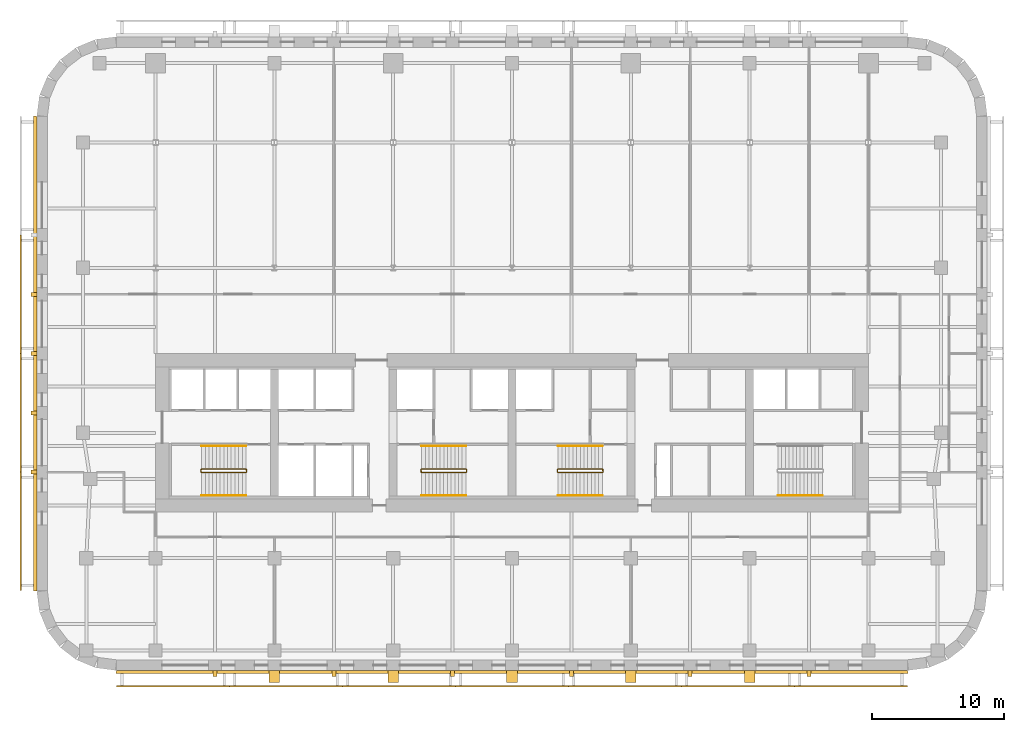
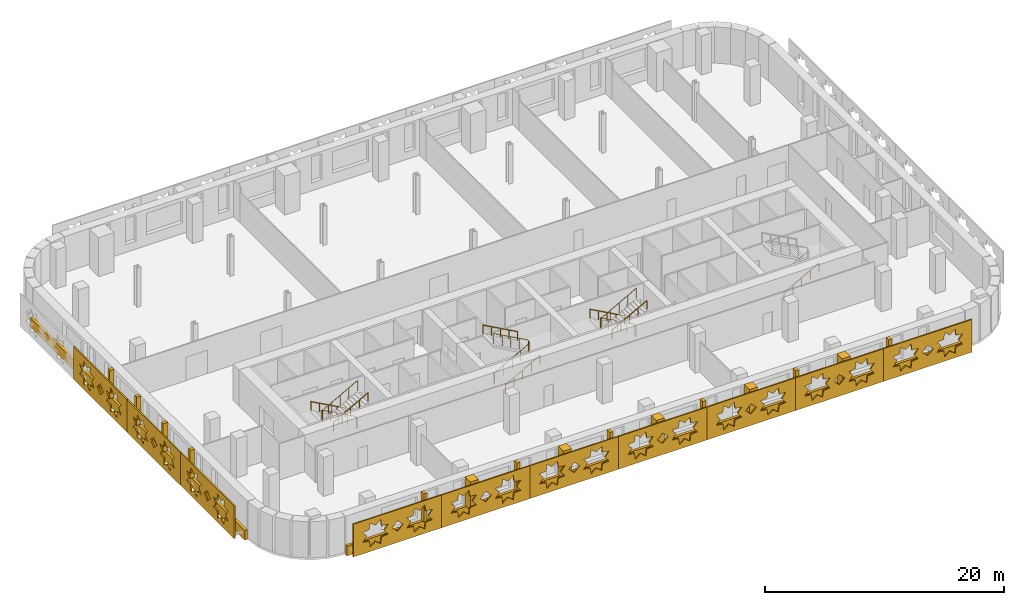
# One storey, part 9 of 10: 27 coverings, 10 railings.
"""IFC4 building model written with IfcOpenShell, lengths in metres."""

import ifcopenshell
import ifcopenshell.guid

model = None  # the IFC model being written
_history = None  # IfcOwnerHistory: only IFC2X3 demands one
_inside = {}  # id of a spatial element -> (the spatial element, [elements in it])
_under = {}  # id of a project, library or spatial element -> (it, [spatial elements below it])
_declared = {}  # id of a project -> (the project, [libraries it declares])
_typed = {}  # id of a type object -> (the type object, [elements of that type])
_made_of = {}  # id of a material, layer set ... -> (it, [elements and type objects made of it])


def new_model(schema):
    """Start an empty IFC model of exactly this schema.

    Asked for "IFC4X3", IfcOpenShell would pick the latest addendum, in which some entities
    have other attributes; the version numbers below select the first issue.
    IFC2X3 requires an IfcOwnerHistory on every rooted entity: one is made here for all.
    """
    global model, _history
    if schema == "IFC4X3":
        model = ifcopenshell.file(schema_version=(4, 3, 0, 0))
    else:
        model = ifcopenshell.file(schema=schema)
    _inside.clear()
    _under.clear()
    _declared.clear()
    _typed.clear()
    _made_of.clear()
    _history = None
    if model.schema == "IFC2X3":
        org = make("IfcOrganization", Name="unknown")
        user = make(
            "IfcPersonAndOrganization",
            ThePerson=make("IfcPerson", FamilyName="unknown"),
            TheOrganization=org,
        )
        app = make(
            "IfcApplication",
            ApplicationDeveloper=org,
            Version="unknown",
            ApplicationFullName="unknown",
            ApplicationIdentifier="unknown",
        )
        _history = make(
            "IfcOwnerHistory",
            OwningUser=user,
            OwningApplication=app,
            ChangeAction="ADDED",
            CreationDate=0,
        )
    return model


def make(cls, **values):
    """One entity of the class cls with the attributes given. An attribute that is None is left unset."""
    return model.create_entity(
        cls, **{name: value for name, value in values.items() if value is not None}
    )


def rooted(cls, **values):
    """An entity with a GlobalId (a new one), such as an element, a storey or a relation."""
    return make(cls, GlobalId=ifcopenshell.guid.new(), OwnerHistory=_history, **values)


def si_unit(unit_type, name, prefix=None):
    """IfcSIUnit, for example si_unit("LENGTHUNIT", "METRE", prefix="MILLI")."""
    return make("IfcSIUnit", UnitType=unit_type, Prefix=prefix, Name=name)


def assignment(units):
    """IfcUnitAssignment: the units of a project."""
    return None if units is None else make("IfcUnitAssignment", Units=units)


def point(xyz):
    """IfcCartesianPoint."""
    return None if xyz is None else make("IfcCartesianPoint", Coordinates=xyz)


def direction(xyz):
    """IfcDirection."""
    return None if xyz is None else make("IfcDirection", DirectionRatios=xyz)


def frame(location, z_axis=None, x_axis=None):
    """IfcAxis2Placement3D, a coordinate frame: its origin and axes. An axis left out is left unset."""
    return make(
        "IfcAxis2Placement3D",
        Location=point(location),
        Axis=direction(z_axis),
        RefDirection=direction(x_axis),
    )


def frame_2d(location, x_axis=None):
    """IfcAxis2Placement2D, a coordinate frame in the plane: its origin and x axis."""
    return make(
        "IfcAxis2Placement2D", Location=point(location), RefDirection=direction(x_axis)
    )


def origin():
    """The frame at (0, 0, 0) with its axes left unset."""
    return frame((0.0, 0.0, 0.0))


def origin_2d():
    """The frame at (0, 0) in the plane with its x axis left unset."""
    return frame_2d((0.0, 0.0))


def place(relative_to, where):
    """IfcLocalPlacement: puts the frame where relative to a parent placement (None: the world)."""
    return make(
        "IfcLocalPlacement", PlacementRelTo=relative_to, RelativePlacement=where
    )


def context(
    kind, dimensions, precision=None, world=None, true_north=None, identifier=None
):
    """IfcGeometricRepresentationContext, for example the 3D "Model" context."""
    return make(
        "IfcGeometricRepresentationContext",
        ContextIdentifier=identifier,
        ContextType=kind,
        CoordinateSpaceDimension=dimensions,
        Precision=precision,
        WorldCoordinateSystem=world,
        TrueNorth=true_north,
    )


def subcontext(parent, identifier, kind, view, scale=None):
    """IfcGeometricRepresentationSubContext, for example "Body" below "Model"."""
    return make(
        "IfcGeometricRepresentationSubContext",
        ContextIdentifier=identifier,
        ContextType=kind,
        ParentContext=parent,
        TargetScale=scale,
        TargetView=view,
    )


def project(units=None, contexts=None):
    """IfcProject with its units and contexts."""
    return rooted(
        "IfcProject",
        Name="project",
        RepresentationContexts=contexts,
        UnitsInContext=assignment(units),
    )


def spatial(cls, under=None, at=None, **own):
    """A site, building, storey or space (cls), placed at a placement, below another one or the project."""
    s = rooted(cls, ObjectPlacement=at, **own)
    if under is not None:
        _under.setdefault(under.id(), (under, []))[1].append(s)
    return s


def polyline(points):
    """IfcPolyline through the points."""
    return make("IfcPolyline", Points=[point(p) for p in points])


def profile(cls, at=None, kind="AREA", **sizes):
    """A parametric profile (cls). Its sizes go by their IFC names, for example OverallWidth=200.0."""
    return make(cls, ProfileType=kind, Position=at, **sizes)


def circle(**sizes):
    """IfcCircleProfileDef."""
    return profile("IfcCircleProfileDef", **sizes)


def outline(outer, holes=None, kind="AREA"):
    """IfcArbitraryClosedProfileDef: a profile drawn as a closed curve; with holes, ...WithVoids."""
    if holes is None:
        return make("IfcArbitraryClosedProfileDef", ProfileType=kind, OuterCurve=outer)
    return make(
        "IfcArbitraryProfileDefWithVoids",
        ProfileType=kind,
        OuterCurve=outer,
        InnerCurves=holes,
    )


def extrude(swept, where, along, depth):
    """IfcExtrudedAreaSolid: the profile swept, set in the frame where, extruded along a direction by depth."""
    return make(
        "IfcExtrudedAreaSolid",
        SweptArea=swept,
        Position=where,
        ExtrudedDirection=direction(along),
        Depth=depth,
    )


def shape(context_of_items, identifier, shape_type, items):
    """IfcShapeRepresentation: the items that make up one representation, for example the "Body"."""
    return make(
        "IfcShapeRepresentation",
        ContextOfItems=context_of_items,
        RepresentationIdentifier=identifier,
        RepresentationType=shape_type,
        Items=items,
    )


def material(Name=None, Category=None):
    """IfcMaterial."""
    return make("IfcMaterial", Name=Name, Category=Category)


def layer(
    of_material, thickness, ventilated=None, Name=None, Category=None, Priority=None
):
    """IfcMaterialLayer: one layer of a wall or slab, of a material (None: an air gap)."""
    return make(
        "IfcMaterialLayer",
        Material=of_material,
        LayerThickness=thickness,
        IsVentilated=ventilated,
        Name=Name,
        Category=Category,
        Priority=Priority,
    )


def layer_set(layers, Name=None):
    """IfcMaterialLayerSet."""
    return make("IfcMaterialLayerSet", MaterialLayers=layers, LayerSetName=Name)


def made_of(thing, what):
    """Note that an element or type object is made of a material, layer set ...; save() writes the relation."""
    if what is not None:
        _made_of.setdefault(what.id(), (what, []))[1].append(thing)
    return thing


def type_object(cls, material=None, **own):
    """A type object (cls), such as IfcWallType, which elements share."""
    return made_of(rooted(cls, **own), material)


def element(
    cls,
    number,
    at=None,
    inside=None,
    cuts=None,
    type_object=None,
    material=None,
    context=None,
    identifier="Body",
    shape_type=None,
    held_by="IfcProductDefinitionShape",
    body=None,
    shapes=None,
    **own,
):
    """One element of the class cls, such as IfcWall. Its Tag is "e" and its number.

    at: its placement. inside: the storey or other place that contains it. cuts: it is an
    opening in that element (IfcRelVoidsElement). A single representation is given by context,
    identifier, shape_type and body (its items); several are given by shapes. held_by: the class
    of the entity that holds the representations. save() writes the other relations.
    """
    e = rooted(cls, Tag="e%d" % number, ObjectPlacement=at, **own)
    if body is not None:
        shapes = [shape(context, identifier, shape_type, body)]
    if shapes is not None:
        e.Representation = make(held_by, Representations=shapes)
    if inside is not None:
        _inside.setdefault(inside.id(), (inside, []))[1].append(e)
    if cuts is not None:
        rooted(
            "IfcRelVoidsElement", RelatingBuildingElement=cuts, RelatedOpeningElement=e
        )
    if type_object is not None:
        _typed.setdefault(type_object.id(), (type_object, []))[1].append(e)
    return made_of(e, material)


def aggregate(whole, parts):
    """IfcRelAggregates: a whole, such as a stair, and the parts it consists of."""
    return rooted("IfcRelAggregates", RelatingObject=whole, RelatedObjects=parts)


def save(model, path):
    """Write the relations noted so far, then the file.

    IfcRelAggregates (storeys below a building ...), IfcRelContainedInSpatialStructure (elements
    in a storey), IfcRelDefinesByType, IfcRelAssociatesMaterial and IfcRelDeclares: one each for
    every whole, place, type object, material and project.
    """
    for whole, parts in _under.values():
        aggregate(whole, parts)
    for where, things in _inside.values():
        rooted(
            "IfcRelContainedInSpatialStructure",
            RelatedElements=things,
            RelatingStructure=where,
        )
    for kind, things in _typed.values():
        rooted("IfcRelDefinesByType", RelatedObjects=things, RelatingType=kind)
    for what, things in _made_of.values():
        rooted("IfcRelAssociatesMaterial", RelatedObjects=things, RelatingMaterial=what)
    for by, libraries in _declared.values():
        rooted("IfcRelDeclares", RelatingContext=by, RelatedDefinitions=libraries)
    model.write(path)


model = new_model("IFC4")

# Units and contexts
model_context = context("Model", 3, precision=1e-05, world=origin(), true_north=direction((0.0, 1.0)))
body_context = subcontext(model_context, "Body", "Model", "MODEL_VIEW")
ifc_project = project(units=[si_unit("LENGTHUNIT", "METRE"), si_unit("AREAUNIT", "SQUARE_METRE"), si_unit("VOLUMEUNIT", "CUBIC_METRE"), si_unit("PLANEANGLEUNIT", "RADIAN"), si_unit("MASSUNIT", "GRAM", prefix="KILO")], contexts=[model_context])

# Site, building, storey
site_placement = place(None, origin())
site = spatial("IfcSite", under=ifc_project, at=site_placement, CompositionType="ELEMENT")
building_placement = place(site_placement, origin())
building = spatial("IfcBuilding", under=site, at=building_placement, Name="Zellij Exchange Tower", CompositionType="ELEMENT")
storey_placement = place(building_placement, frame((0.0, 0.0, 152.5)))
storey = spatial("IfcBuildingStorey", under=building, at=storey_placement, Name="L34", CompositionType="ELEMENT", Elevation=152.5)

# Railings
ifc_material_1 = material(Name="Stainless steel", Category="steel")
railing_type_1 = type_object("IfcRailingType", Name="CORE-RG stair guard", PredefinedType="GUARDRAIL", material=ifc_material_1)
railing_1_placement = place(storey_placement, frame((-20.10009765625, -10.800048828125, 0.0)))
element("IfcRailing", 1, at=railing_1_placement, inside=storey, type_object=railing_type_1, Name="ST1 stair guard L34", PredefinedType="GUARDRAIL", context=body_context, shape_type="SweptSolid", body=[
    extrude(circle(Radius=0.02392578125, at=origin_2d()), frame((0.0, 0.0, 1.076171875), z_axis=(0.0, -1.0, 0.0), x_axis=(1.0, 0.0, 0.0)), (0.0, 0.0, 1.0), 0.14990234375),
    extrude(circle(Radius=0.02392578125, at=origin_2d()), frame((0.0, -0.14990234375, 1.076171875), z_axis=(-0.193691321961, 0.777613689637, 0.598164376644), x_axis=(-0.970351222016, -0.241699205484, 0.0)), (0.0, 0.0, 1.0), 0.257080078125),
    extrude(circle(Radius=0.02392578125, at=origin_2d()), frame((-0.0498046875, 0.050048828125, 1.22998046875), z_axis=(-0.876421534553, 0.0, 0.481544695509), x_axis=(0.0, -1.0, 0.0)), (0.0, 0.0, 1.0), 3.833984375),
    extrude(circle(Radius=0.02392578125, at=origin_2d()), frame((-3.409912109375, 0.050048828125, 3.076171875), z_axis=(-0.707106781187, -0.707106781187, 0.0), x_axis=(0.707106781187, -0.707106781187, 0.0)), (0.0, 0.0, 1.0), 0.07080078125),
    extrude(circle(Radius=0.02392578125, at=origin_2d()), frame((-3.4599609375, 0.0, 3.076171875), z_axis=(0.0, -1.0, 0.0), x_axis=(1.0, 0.0, 0.0)), (0.0, 0.0, 1.0), 0.14990234375),
    extrude(circle(Radius=0.02392578125, at=origin_2d()), frame((-3.4599609375, -0.14990234375, 3.076171875), z_axis=(0.295599637079, -0.295599637079, 0.908428152975), x_axis=(0.707106781187, 0.707106781187, 0.0)), (0.0, 0.0, 1.0), 0.16943359375),
    extrude(circle(Radius=0.02392578125, at=origin_2d()), frame((-3.409912109375, -0.199951171875, 3.22998046875), z_axis=(0.876421534553, 0.0, 0.481544695509), x_axis=(0.0, 1.0, 0.0)), (0.0, 0.0, 1.0), 3.833984375),
    extrude(circle(Radius=0.02099609375, at=origin_2d()), origin(), (0.0, 0.0, 1.0), 1.052001953125),
    extrude(circle(Radius=0.02099609375, at=origin_2d()), frame((0.0, -0.14990234375, 0.0)), (0.0, 0.0, 1.0), 1.052001953125),
    extrude(circle(Radius=0.02099609375, at=origin_2d()), frame((-0.0498046875, 0.050048828125, 0.15380859375)), (0.0, 0.0, 1.0), 1.052001953125),
    extrude(circle(Radius=0.02099609375, at=origin_2d()), frame((-0.889892578125, 0.050048828125, 0.615234375)), (0.0, 0.0, 1.0), 1.052001953125),
    extrude(circle(Radius=0.02099609375, at=origin_2d()), frame((-1.72998046875, 0.050048828125, 1.076904296875)), (0.0, 0.0, 1.0), 1.052001953125),
    extrude(circle(Radius=0.02099609375, at=origin_2d()), frame((-2.56982421875, 0.050048828125, 1.53857421875)), (0.0, 0.0, 1.0), 1.052001953125),
    extrude(circle(Radius=0.02099609375, at=origin_2d()), frame((-3.409912109375, 0.050048828125, 2.0)), (0.0, 0.0, 1.0), 1.052001953125),
    extrude(circle(Radius=0.02099609375, at=origin_2d()), frame((-3.4599609375, 0.0, 2.0)), (0.0, 0.0, 1.0), 1.052001953125),
    extrude(circle(Radius=0.02099609375, at=origin_2d()), frame((-3.4599609375, -0.14990234375, 2.0)), (0.0, 0.0, 1.0), 1.052001953125),
    extrude(circle(Radius=0.02099609375, at=origin_2d()), frame((-3.409912109375, -0.199951171875, 2.15380859375)), (0.0, 0.0, 1.0), 1.052001953125),
    extrude(circle(Radius=0.02099609375, at=origin_2d()), frame((-2.56982421875, -0.199951171875, 2.615234375)), (0.0, 0.0, 1.0), 1.052001953125),
    extrude(circle(Radius=0.02099609375, at=origin_2d()), frame((-1.72998046875, -0.199951171875, 3.076904296875)), (0.0, 0.0, 1.0), 1.052001953125),
    extrude(circle(Radius=0.02099609375, at=origin_2d()), frame((-0.889892578125, -0.199951171875, 3.53857421875)), (0.0, 0.0, 1.0), 1.052001953125),
    extrude(circle(Radius=0.02099609375, at=origin_2d()), frame((-0.0498046875, -0.199951171875, 4.0)), (0.0, 0.0, 1.0), 1.052001953125),
])
railing_2_placement = place(storey_placement, frame((-6.89990234375, -10.949951171875, 0.0)))
element("IfcRailing", 2, at=railing_2_placement, inside=storey, type_object=railing_type_1, Name="ST2 stair guard L34", PredefinedType="GUARDRAIL", context=body_context, shape_type="SweptSolid", body=[
    extrude(circle(Radius=0.02392578125, at=origin_2d()), frame((0.0, 0.0, 1.076171875), z_axis=(0.0, 1.0, 0.0), x_axis=(-1.0, 0.0, 0.0)), (0.0, 0.0, 1.0), 0.14990234375),
    extrude(circle(Radius=0.02392578125, at=origin_2d()), frame((0.0, 0.14990234375, 1.076171875), z_axis=(0.193691321961, -0.777613689637, 0.598164376644), x_axis=(0.970351222016, 0.241699205484, 0.0)), (0.0, 0.0, 1.0), 0.257080078125),
    extrude(circle(Radius=0.02392578125, at=origin_2d()), frame((0.0498046875, -0.050048828125, 1.22998046875), z_axis=(0.876421534553, 0.0, 0.481544695509), x_axis=(0.0, 1.0, 0.0)), (0.0, 0.0, 1.0), 3.833984375),
    extrude(circle(Radius=0.02392578125, at=origin_2d()), frame((3.409912109375, -0.050048828125, 3.076171875), z_axis=(0.707106781187, 0.707106781187, 0.0), x_axis=(-0.707106781187, 0.707106781187, 0.0)), (0.0, 0.0, 1.0), 0.07080078125),
    extrude(circle(Radius=0.02392578125, at=origin_2d()), frame((3.4599609375, 0.0, 3.076171875), z_axis=(0.0, 1.0, 0.0), x_axis=(-1.0, 0.0, 0.0)), (0.0, 0.0, 1.0), 0.14990234375),
    extrude(circle(Radius=0.02392578125, at=origin_2d()), frame((3.4599609375, 0.14990234375, 3.076171875), z_axis=(-0.295599637079, 0.295599637079, 0.908428152975), x_axis=(-0.707106781187, -0.707106781187, 0.0)), (0.0, 0.0, 1.0), 0.16943359375),
    extrude(circle(Radius=0.02392578125, at=origin_2d()), frame((3.409912109375, 0.199951171875, 3.22998046875), z_axis=(-0.876421534553, 0.0, 0.481544695509), x_axis=(0.0, -1.0, 0.0)), (0.0, 0.0, 1.0), 3.833984375),
    extrude(circle(Radius=0.02099609375, at=origin_2d()), origin(), (0.0, 0.0, 1.0), 1.052001953125),
    extrude(circle(Radius=0.02099609375, at=origin_2d()), frame((0.0, 0.14990234375, 0.0)), (0.0, 0.0, 1.0), 1.052001953125),
    extrude(circle(Radius=0.02099609375, at=origin_2d()), frame((0.0498046875, -0.050048828125, 0.15380859375)), (0.0, 0.0, 1.0), 1.052001953125),
    extrude(circle(Radius=0.02099609375, at=origin_2d()), frame((0.889892578125, -0.050048828125, 0.615234375)), (0.0, 0.0, 1.0), 1.052001953125),
    extrude(circle(Radius=0.02099609375, at=origin_2d()), frame((1.72998046875, -0.050048828125, 1.076904296875)), (0.0, 0.0, 1.0), 1.052001953125),
    extrude(circle(Radius=0.02099609375, at=origin_2d()), frame((2.56982421875, -0.050048828125, 1.53857421875)), (0.0, 0.0, 1.0), 1.052001953125),
    extrude(circle(Radius=0.02099609375, at=origin_2d()), frame((3.409912109375, -0.050048828125, 2.0)), (0.0, 0.0, 1.0), 1.052001953125),
    extrude(circle(Radius=0.02099609375, at=origin_2d()), frame((3.4599609375, 0.0, 2.0)), (0.0, 0.0, 1.0), 1.052001953125),
    extrude(circle(Radius=0.02099609375, at=origin_2d()), frame((3.4599609375, 0.14990234375, 2.0)), (0.0, 0.0, 1.0), 1.052001953125),
    extrude(circle(Radius=0.02099609375, at=origin_2d()), frame((3.409912109375, 0.199951171875, 2.15380859375)), (0.0, 0.0, 1.0), 1.052001953125),
    extrude(circle(Radius=0.02099609375, at=origin_2d()), frame((2.56982421875, 0.199951171875, 2.615234375)), (0.0, 0.0, 1.0), 1.052001953125),
    extrude(circle(Radius=0.02099609375, at=origin_2d()), frame((1.72998046875, 0.199951171875, 3.076904296875)), (0.0, 0.0, 1.0), 1.052001953125),
    extrude(circle(Radius=0.02099609375, at=origin_2d()), frame((0.889892578125, 0.199951171875, 3.53857421875)), (0.0, 0.0, 1.0), 1.052001953125),
    extrude(circle(Radius=0.02099609375, at=origin_2d()), frame((0.0498046875, 0.199951171875, 4.0)), (0.0, 0.0, 1.0), 1.052001953125),
])
railing_3_placement = place(storey_placement, frame((6.89990234375, -10.800048828125, 0.0)))
element("IfcRailing", 3, at=railing_3_placement, inside=storey, type_object=railing_type_1, Name="ST3 stair guard L34", PredefinedType="GUARDRAIL", context=body_context, shape_type="SweptSolid", body=[
    extrude(circle(Radius=0.02392578125, at=origin_2d()), frame((0.0, 0.0, 1.076171875), z_axis=(0.0, -1.0, 0.0), x_axis=(1.0, 0.0, 0.0)), (0.0, 0.0, 1.0), 0.14990234375),
    extrude(circle(Radius=0.02392578125, at=origin_2d()), frame((0.0, -0.14990234375, 1.076171875), z_axis=(-0.193691321961, 0.777613689637, 0.598164376644), x_axis=(-0.970351222016, -0.241699205484, 0.0)), (0.0, 0.0, 1.0), 0.257080078125),
    extrude(circle(Radius=0.02392578125, at=origin_2d()), frame((-0.0498046875, 0.050048828125, 1.22998046875), z_axis=(-0.876421534553, 0.0, 0.481544695509), x_axis=(0.0, -1.0, 0.0)), (0.0, 0.0, 1.0), 3.833984375),
    extrude(circle(Radius=0.02392578125, at=origin_2d()), frame((-3.409912109375, 0.050048828125, 3.076171875), z_axis=(-0.707106781187, -0.707106781187, 0.0), x_axis=(0.707106781187, -0.707106781187, 0.0)), (0.0, 0.0, 1.0), 0.07080078125),
    extrude(circle(Radius=0.02392578125, at=origin_2d()), frame((-3.4599609375, 0.0, 3.076171875), z_axis=(0.0, -1.0, 0.0), x_axis=(1.0, 0.0, 0.0)), (0.0, 0.0, 1.0), 0.14990234375),
    extrude(circle(Radius=0.02392578125, at=origin_2d()), frame((-3.4599609375, -0.14990234375, 3.076171875), z_axis=(0.295599637079, -0.295599637079, 0.908428152975), x_axis=(0.707106781187, 0.707106781187, 0.0)), (0.0, 0.0, 1.0), 0.16943359375),
    extrude(circle(Radius=0.02392578125, at=origin_2d()), frame((-3.409912109375, -0.199951171875, 3.22998046875), z_axis=(0.876421534553, 0.0, 0.481544695509), x_axis=(0.0, 1.0, 0.0)), (0.0, 0.0, 1.0), 3.833984375),
    extrude(circle(Radius=0.02099609375, at=origin_2d()), origin(), (0.0, 0.0, 1.0), 1.052001953125),
    extrude(circle(Radius=0.02099609375, at=origin_2d()), frame((0.0, -0.14990234375, 0.0)), (0.0, 0.0, 1.0), 1.052001953125),
    extrude(circle(Radius=0.02099609375, at=origin_2d()), frame((-0.0498046875, 0.050048828125, 0.15380859375)), (0.0, 0.0, 1.0), 1.052001953125),
    extrude(circle(Radius=0.02099609375, at=origin_2d()), frame((-0.889892578125, 0.050048828125, 0.615234375)), (0.0, 0.0, 1.0), 1.052001953125),
    extrude(circle(Radius=0.02099609375, at=origin_2d()), frame((-1.72998046875, 0.050048828125, 1.076904296875)), (0.0, 0.0, 1.0), 1.052001953125),
    extrude(circle(Radius=0.02099609375, at=origin_2d()), frame((-2.56982421875, 0.050048828125, 1.53857421875)), (0.0, 0.0, 1.0), 1.052001953125),
    extrude(circle(Radius=0.02099609375, at=origin_2d()), frame((-3.409912109375, 0.050048828125, 2.0)), (0.0, 0.0, 1.0), 1.052001953125),
    extrude(circle(Radius=0.02099609375, at=origin_2d()), frame((-3.4599609375, 0.0, 2.0)), (0.0, 0.0, 1.0), 1.052001953125),
    extrude(circle(Radius=0.02099609375, at=origin_2d()), frame((-3.4599609375, -0.14990234375, 2.0)), (0.0, 0.0, 1.0), 1.052001953125),
    extrude(circle(Radius=0.02099609375, at=origin_2d()), frame((-3.409912109375, -0.199951171875, 2.15380859375)), (0.0, 0.0, 1.0), 1.052001953125),
    extrude(circle(Radius=0.02099609375, at=origin_2d()), frame((-2.56982421875, -0.199951171875, 2.615234375)), (0.0, 0.0, 1.0), 1.052001953125),
    extrude(circle(Radius=0.02099609375, at=origin_2d()), frame((-1.72998046875, -0.199951171875, 3.076904296875)), (0.0, 0.0, 1.0), 1.052001953125),
    extrude(circle(Radius=0.02099609375, at=origin_2d()), frame((-0.889892578125, -0.199951171875, 3.53857421875)), (0.0, 0.0, 1.0), 1.052001953125),
    extrude(circle(Radius=0.02099609375, at=origin_2d()), frame((-0.0498046875, -0.199951171875, 4.0)), (0.0, 0.0, 1.0), 1.052001953125),
])
railing_type_2 = type_object("IfcRailingType", Name="CORE-RH stair handrail", PredefinedType="HANDRAIL", material=ifc_material_1)
railing_4_placement = place(storey_placement, frame((-20.14990234375, -9.0, 0.15380859375)))
element("IfcRailing", 4, at=railing_4_placement, inside=storey, type_object=railing_type_2, Name="ST1 stair handrail L34", PredefinedType="HANDRAIL", context=body_context, shape_type="SweptSolid", body=[
    extrude(circle(Radius=0.02392578125, at=origin_2d()), frame((0.0, 0.0, 0.8759765625), z_axis=(-0.876421534553, 0.0, 0.481544695509), x_axis=(0.0, -1.0, 0.0)), (0.0, 0.0, 1.0), 3.833984375),
    extrude(circle(Radius=0.02099609375, at=origin_2d()), origin(), (0.0, 0.0, 1.0), 0.851806640625),
    extrude(circle(Radius=0.02099609375, at=origin_2d()), frame((-0.840087890625, 0.0, 0.46142578125)), (0.0, 0.0, 1.0), 0.851806640625),
    extrude(circle(Radius=0.02099609375, at=origin_2d()), frame((-1.68017578125, 0.0, 0.923095703125)), (0.0, 0.0, 1.0), 0.851806640625),
    extrude(circle(Radius=0.02099609375, at=origin_2d()), frame((-2.52001953125, 0.0, 1.384765625)), (0.0, 0.0, 1.0), 0.851806640625),
    extrude(circle(Radius=0.02099609375, at=origin_2d()), frame((-3.360107421875, 0.0, 1.84619140625)), (0.0, 0.0, 1.0), 0.851806640625),
])
for number, where, name in (
    (5, (-23.510009765625, -12.75, 2.15380859375), "ST1 stair handrail L34"),
    (6, (-6.85009765625, -12.75, 0.15380859375), "ST2 stair handrail L34"),
):
    element("IfcRailing", number, at=place(storey_placement, frame(where)), inside=storey, type_object=railing_type_2, Name=name, PredefinedType="HANDRAIL", context=body_context, shape_type="SweptSolid", body=[
        extrude(circle(Radius=0.02392578125, at=origin_2d()), frame((0.0, 0.0, 0.8759765625), z_axis=(0.876421534553, 0.0, 0.481544695509), x_axis=(0.0, 1.0, 0.0)), (0.0, 0.0, 1.0), 3.833984375),
        extrude(circle(Radius=0.02099609375, at=origin_2d()), origin(), (0.0, 0.0, 1.0), 0.851806640625),
        extrude(circle(Radius=0.02099609375, at=origin_2d()), frame((0.840087890625, 0.0, 0.46142578125)), (0.0, 0.0, 1.0), 0.851806640625),
        extrude(circle(Radius=0.02099609375, at=origin_2d()), frame((1.68017578125, 0.0, 0.923095703125)), (0.0, 0.0, 1.0), 0.851806640625),
        extrude(circle(Radius=0.02099609375, at=origin_2d()), frame((2.52001953125, 0.0, 1.384765625)), (0.0, 0.0, 1.0), 0.851806640625),
        extrude(circle(Radius=0.02099609375, at=origin_2d()), frame((3.360107421875, 0.0, 1.84619140625)), (0.0, 0.0, 1.0), 0.851806640625),
    ])
for number, where, name in (
    (7, (-3.489990234375, -9.0, 2.15380859375), "ST2 stair handrail L34"),
    (8, (6.85009765625, -9.0, 0.15380859375), "ST3 stair handrail L34"),
):
    element("IfcRailing", number, at=place(storey_placement, frame(where)), inside=storey, type_object=railing_type_2, Name=name, PredefinedType="HANDRAIL", context=body_context, shape_type="SweptSolid", body=[
        extrude(circle(Radius=0.02392578125, at=origin_2d()), frame((0.0, 0.0, 0.8759765625), z_axis=(-0.876421534553, 0.0, 0.481544695509), x_axis=(0.0, -1.0, 0.0)), (0.0, 0.0, 1.0), 3.833984375),
        extrude(circle(Radius=0.02099609375, at=origin_2d()), origin(), (0.0, 0.0, 1.0), 0.851806640625),
        extrude(circle(Radius=0.02099609375, at=origin_2d()), frame((-0.840087890625, 0.0, 0.46142578125)), (0.0, 0.0, 1.0), 0.851806640625),
        extrude(circle(Radius=0.02099609375, at=origin_2d()), frame((-1.68017578125, 0.0, 0.923095703125)), (0.0, 0.0, 1.0), 0.851806640625),
        extrude(circle(Radius=0.02099609375, at=origin_2d()), frame((-2.52001953125, 0.0, 1.384765625)), (0.0, 0.0, 1.0), 0.851806640625),
        extrude(circle(Radius=0.02099609375, at=origin_2d()), frame((-3.360107421875, 0.0, 1.84619140625)), (0.0, 0.0, 1.0), 0.851806640625),
    ])
for number, where, name in (
    (9, (3.489990234375, -12.75, 2.15380859375), "ST3 stair handrail L34"),
    (10, (20.14990234375, -12.75, 0.15380859375), "ST4 stair handrail L34"),
):
    element("IfcRailing", number, at=place(storey_placement, frame(where)), inside=storey, type_object=railing_type_2, Name=name, PredefinedType="HANDRAIL", context=body_context, shape_type="SweptSolid", body=[
        extrude(circle(Radius=0.02392578125, at=origin_2d()), frame((0.0, 0.0, 0.8759765625), z_axis=(0.876421534553, 0.0, 0.481544695509), x_axis=(0.0, 1.0, 0.0)), (0.0, 0.0, 1.0), 3.833984375),
        extrude(circle(Radius=0.02099609375, at=origin_2d()), origin(), (0.0, 0.0, 1.0), 0.851806640625),
        extrude(circle(Radius=0.02099609375, at=origin_2d()), frame((0.840087890625, 0.0, 0.46142578125)), (0.0, 0.0, 1.0), 0.851806640625),
        extrude(circle(Radius=0.02099609375, at=origin_2d()), frame((1.68017578125, 0.0, 0.923095703125)), (0.0, 0.0, 1.0), 0.851806640625),
        extrude(circle(Radius=0.02099609375, at=origin_2d()), frame((2.52001953125, 0.0, 1.384765625)), (0.0, 0.0, 1.0), 0.851806640625),
        extrude(circle(Radius=0.02099609375, at=origin_2d()), frame((3.360107421875, 0.0, 1.84619140625)), (0.0, 0.0, 1.0), 0.851806640625),
    ])

# Coverings
ifc_material_2 = material(Name="Limestone cladding", Category="masonry")
covering_type_1 = type_object("IfcCoveringType", Name="ENV-CV5 Stone pier 800x900", PredefinedType="CLADDING", material=ifc_material_2)
covering_1_placement = place(storey_placement, frame((0.0, 0.0, 0.800048828125)))
element("IfcCovering", 11, at=covering_1_placement, inside=storey, type_object=covering_type_1, Name="Stone pier", PredefinedType="CLADDING", context=body_context, shape_type="SweptSolid", body=[
    extrude(outline(polyline([(-18.39990234375, -26.0), (-17.60009765625, -26.0), (-17.60009765625, -26.89990234375), (-18.39990234375, -26.89990234375), (-18.39990234375, -26.0)])), origin(), (0.0, 0.0, 1.0), 2.89990234375),
])
covering_2_placement = place(storey_placement, frame((0.0, 0.0, 0.800048828125)))
element("IfcCovering", 12, at=covering_2_placement, inside=storey, type_object=covering_type_1, Name="Stone pier", PredefinedType="CLADDING", context=body_context, shape_type="SweptSolid", body=[
    extrude(outline(polyline([(-9.39990234375, -26.0), (-8.60009765625, -26.0), (-8.60009765625, -26.89990234375), (-9.39990234375, -26.89990234375), (-9.39990234375, -26.0)])), origin(), (0.0, 0.0, 1.0), 2.89990234375),
])
covering_3_placement = place(storey_placement, frame((0.0, 0.0, 0.800048828125)))
element("IfcCovering", 13, at=covering_3_placement, inside=storey, type_object=covering_type_1, Name="Stone pier", PredefinedType="CLADDING", context=body_context, shape_type="SweptSolid", body=[
    extrude(outline(polyline([(-0.39990234375, -26.0), (0.39990234375, -26.0), (0.39990234375, -26.89990234375), (-0.39990234375, -26.89990234375), (-0.39990234375, -26.0)])), origin(), (0.0, 0.0, 1.0), 2.89990234375),
])
covering_4_placement = place(storey_placement, frame((0.0, 0.0, 0.800048828125)))
element("IfcCovering", 14, at=covering_4_placement, inside=storey, type_object=covering_type_1, Name="Stone pier", PredefinedType="CLADDING", context=body_context, shape_type="SweptSolid", body=[
    extrude(outline(polyline([(8.60009765625, -26.0), (9.39990234375, -26.0), (9.39990234375, -26.89990234375), (8.60009765625, -26.89990234375), (8.60009765625, -26.0)])), origin(), (0.0, 0.0, 1.0), 2.89990234375),
])
covering_5_placement = place(storey_placement, frame((0.0, 0.0, 0.800048828125)))
element("IfcCovering", 15, at=covering_5_placement, inside=storey, type_object=covering_type_1, Name="Stone pier", PredefinedType="CLADDING", context=body_context, shape_type="SweptSolid", body=[
    extrude(outline(polyline([(17.60009765625, -26.0), (18.39990234375, -26.0), (18.39990234375, -26.89990234375), (17.60009765625, -26.89990234375), (17.60009765625, -26.0)])), origin(), (0.0, 0.0, 1.0), 2.89990234375),
])
covering_type_2 = type_object("IfcCoveringType", Name="ENV-CV7 Stone pier 300x450", PredefinedType="CLADDING", material=ifc_material_2)
covering_6_placement = place(storey_placement, frame((0.0, 0.0, 0.800048828125)))
element("IfcCovering", 16, at=covering_6_placement, inside=storey, type_object=covering_type_2, Name="Stone pier", PredefinedType="CLADDING", context=body_context, shape_type="SweptSolid", body=[
    extrude(outline(polyline([(-22.64990234375, -26.0), (-22.35009765625, -26.0), (-22.35009765625, -26.449951171875), (-22.64990234375, -26.449951171875), (-22.64990234375, -26.0)])), origin(), (0.0, 0.0, 1.0), 2.89990234375),
])
covering_7_placement = place(storey_placement, frame((0.0, 0.0, 0.800048828125)))
element("IfcCovering", 17, at=covering_7_placement, inside=storey, type_object=covering_type_2, Name="Stone pier", PredefinedType="CLADDING", context=body_context, shape_type="SweptSolid", body=[
    extrude(outline(polyline([(-13.64990234375, -26.0), (-13.35009765625, -26.0), (-13.35009765625, -26.449951171875), (-13.64990234375, -26.449951171875), (-13.64990234375, -26.0)])), origin(), (0.0, 0.0, 1.0), 2.89990234375),
])
covering_8_placement = place(storey_placement, frame((0.0, 0.0, 0.800048828125)))
element("IfcCovering", 18, at=covering_8_placement, inside=storey, type_object=covering_type_2, Name="Stone pier", PredefinedType="CLADDING", context=body_context, shape_type="SweptSolid", body=[
    extrude(outline(polyline([(-4.64990234375, -26.0), (-4.35009765625, -26.0), (-4.35009765625, -26.449951171875), (-4.64990234375, -26.449951171875), (-4.64990234375, -26.0)])), origin(), (0.0, 0.0, 1.0), 2.89990234375),
])
covering_9_placement = place(storey_placement, frame((0.0, 0.0, 0.800048828125)))
element("IfcCovering", 19, at=covering_9_placement, inside=storey, type_object=covering_type_2, Name="Stone pier", PredefinedType="CLADDING", context=body_context, shape_type="SweptSolid", body=[
    extrude(outline(polyline([(4.35009765625, -26.0), (4.64990234375, -26.0), (4.64990234375, -26.449951171875), (4.35009765625, -26.449951171875), (4.35009765625, -26.0)])), origin(), (0.0, 0.0, 1.0), 2.89990234375),
])
covering_10_placement = place(storey_placement, frame((0.0, 0.0, 0.800048828125)))
element("IfcCovering", 20, at=covering_10_placement, inside=storey, type_object=covering_type_2, Name="Stone pier", PredefinedType="CLADDING", context=body_context, shape_type="SweptSolid", body=[
    extrude(outline(polyline([(13.35009765625, -26.0), (13.64990234375, -26.0), (13.64990234375, -26.449951171875), (13.35009765625, -26.449951171875), (13.35009765625, -26.0)])), origin(), (0.0, 0.0, 1.0), 2.89990234375),
])
covering_11_placement = place(storey_placement, frame((0.0, 0.0, 0.800048828125)))
element("IfcCovering", 21, at=covering_11_placement, inside=storey, type_object=covering_type_2, Name="Stone pier", PredefinedType="CLADDING", context=body_context, shape_type="SweptSolid", body=[
    extrude(outline(polyline([(22.35009765625, -26.0), (22.64990234375, -26.0), (22.64990234375, -26.449951171875), (22.35009765625, -26.449951171875), (22.35009765625, -26.0)])), origin(), (0.0, 0.0, 1.0), 2.89990234375),
])
covering_12_placement = place(storey_placement, frame((0.0, 0.0, 0.800048828125)))
element("IfcCovering", 22, at=covering_12_placement, inside=storey, type_object=covering_type_2, Name="Stone pier", PredefinedType="CLADDING", context=body_context, shape_type="SweptSolid", body=[
    extrude(outline(polyline([(-36.0, 2.6435546875), (-36.0, 2.343505859375), (-36.449951171875, 2.343505859375), (-36.449951171875, 2.6435546875), (-36.0, 2.6435546875)])), origin(), (0.0, 0.0, 1.0), 2.89990234375),
])
covering_13_placement = place(storey_placement, frame((0.0, 0.0, 0.800048828125)))
element("IfcCovering", 23, at=covering_13_placement, inside=storey, type_object=covering_type_2, Name="Stone pier", PredefinedType="CLADDING", context=body_context, shape_type="SweptSolid", body=[
    extrude(outline(polyline([(-36.0, -1.85009765625), (-36.0, -2.14990234375), (-36.449951171875, -2.14990234375), (-36.449951171875, -1.85009765625), (-36.0, -1.85009765625)])), origin(), (0.0, 0.0, 1.0), 2.89990234375),
])
covering_14_placement = place(storey_placement, frame((0.0, 0.0, 0.800048828125)))
element("IfcCovering", 24, at=covering_14_placement, inside=storey, type_object=covering_type_2, Name="Stone pier", PredefinedType="CLADDING", context=body_context, shape_type="SweptSolid", body=[
    extrude(outline(polyline([(-36.0, -6.343505859375), (-36.0, -6.643310546875), (-36.449951171875, -6.643310546875), (-36.449951171875, -6.343505859375), (-36.0, -6.343505859375)])), origin(), (0.0, 0.0, 1.0), 2.89990234375),
])
covering_15_placement = place(storey_placement, frame((0.0, 0.0, 0.800048828125)))
element("IfcCovering", 25, at=covering_15_placement, inside=storey, type_object=covering_type_2, Name="Stone pier", PredefinedType="CLADDING", context=body_context, shape_type="SweptSolid", body=[
    extrude(outline(polyline([(-36.0, -10.8369140625), (-36.0, -11.136962890625), (-36.449951171875, -11.136962890625), (-36.449951171875, -10.8369140625), (-36.0, -10.8369140625)])), origin(), (0.0, 0.0, 1.0), 2.89990234375),
])
ifc_layer_1 = layer(ifc_material_2, 0.25)
ifc_layer_set_1 = layer_set([ifc_layer_1], Name="Limestone cladding")
covering_type_3 = type_object("IfcCoveringType", Name="ENV-CV8 Stone spandrel band 250", PredefinedType="CLADDING", material=ifc_layer_set_1)
covering_16_placement = place(storey_placement, frame((0.0, 0.0, -0.199951171875)))
element("IfcCovering", 26, at=covering_16_placement, inside=storey, type_object=covering_type_3, Name="Stone spandrel band", PredefinedType="CLADDING", context=body_context, shape_type="SweptSolid", body=[
    extrude(outline(polyline([(-29.973876953125, -26.0), (29.973876953125, -26.0), (29.990234375, -26.25), (-29.990234375, -26.25), (-29.973876953125, -26.0)])), origin(), (0.0, 0.0, 1.0), 1.0),
])
covering_17_placement = place(storey_placement, frame((0.0, 0.0, -0.199951171875)))
element("IfcCovering", 27, at=covering_17_placement, inside=storey, type_object=covering_type_3, Name="Stone spandrel band", PredefinedType="CLADDING", context=body_context, shape_type="SweptSolid", body=[
    extrude(outline(polyline([(-36.0, 15.973876953125), (-36.0, -19.973876953125), (-36.25, -19.990234375), (-36.25, 15.990234375), (-36.0, 15.973876953125)])), origin(), (0.0, 0.0, 1.0), 1.0),
])
ifc_material_3 = material(Name="Limestone screen", Category="masonry")
ifc_layer_2 = layer(ifc_material_3, 0.1201171875)
ifc_layer_set_2 = layer_set([ifc_layer_2], Name="Limestone screen")
covering_type_4 = type_object("IfcCoveringType", Name="ENV-SC1 Pierced stone screen 120", PredefinedType="USERDEFINED", material=ifc_layer_set_2)
for number, where, z_axis, x_axis, name in (
    (28, (-37.2099609375, 6.973876953125, 0.300048828125), (0.0, 0.0, 1.0), (0.0, -1.0, 0.0), "Pierced stone screen"),
    (29, (-37.2099609375, -2.0, 0.300048828125), (0.0, 0.0, 1.0), (0.0, -1.0, 0.0), "Pierced stone screen"),
    (30, (-37.2099609375, -10.973876953125, 0.300048828125), (0.0, 0.0, 1.0), (0.0, -1.0, 0.0), "Pierced stone screen"),
):
    element("IfcCovering", number, at=place(storey_placement, frame(where, z_axis=z_axis, x_axis=x_axis)), inside=storey, type_object=covering_type_4, Name=name, ObjectType="SCREEN", PredefinedType="USERDEFINED", context=body_context, shape_type="SweptSolid", body=[
        extrude(outline(polyline([(0.0, 0.0), (8.973876953125, 0.0), (8.973876953125, 3.35009765625), (0.0, 3.35009765625), (0.0, 0.0)]), holes=[polyline([(3.4814453125, 2.187744140625), (2.830810546875, 2.262451171875), (2.756103515625, 2.9130859375), (2.243408203125, 2.505859375), (1.730712890625, 2.9130859375), (1.656005859375, 2.262451171875), (1.00537109375, 2.187744140625), (1.41259765625, 1.675048828125), (1.00537109375, 1.162109375), (1.656005859375, 1.08740234375), (1.730712890625, 0.43701171875), (2.243408203125, 0.84423828125), (2.756103515625, 0.43701171875), (2.830810546875, 1.08740234375), (3.4814453125, 1.162109375), (3.07421875, 1.675048828125), (3.4814453125, 2.187744140625)]), polyline([(7.96826171875, 2.187744140625), (7.31787109375, 2.262451171875), (7.2431640625, 2.9130859375), (6.730224609375, 2.505859375), (6.217529296875, 2.9130859375), (6.142822265625, 2.262451171875), (5.4921875, 2.187744140625), (5.8994140625, 1.675048828125), (5.4921875, 1.162109375), (6.142822265625, 1.08740234375), (6.217529296875, 0.43701171875), (6.730224609375, 0.84423828125), (7.2431640625, 0.43701171875), (7.31787109375, 1.08740234375), (7.96826171875, 1.162109375), (7.56103515625, 1.675048828125), (7.96826171875, 2.187744140625)]), polyline([(5.02294921875, 1.675048828125), (4.48681640625, 2.2109375), (3.950927734375, 1.675048828125), (4.48681640625, 1.138916015625), (5.02294921875, 1.675048828125)])]), frame((0.0, 0.06005859375, 0.0), z_axis=(0.0, -1.0, 0.0), x_axis=(1.0, 0.0, 0.0)), (0.0, 0.0, 1.0), 0.1201171875),
    ])
for number, where, z_axis, x_axis, name in (
    (31, (-29.947509765625, -27.2099609375, 0.300048828125), (0.0, 0.0, 1.0), (1.0, 0.0, 0.0), "Pierced stone screen"),
    (32, (-21.39111328125, -27.2099609375, 0.300048828125), (0.0, 0.0, 1.0), (1.0, 0.0, 0.0), "Pierced stone screen"),
    (33, (-12.834716796875, -27.2099609375, 0.300048828125), (0.0, 0.0, 1.0), (1.0, 0.0, 0.0), "Pierced stone screen"),
    (34, (-4.2783203125, -27.2099609375, 0.300048828125), (0.0, 0.0, 1.0), (1.0, 0.0, 0.0), "Pierced stone screen"),
    (35, (4.2783203125, -27.2099609375, 0.300048828125), (0.0, 0.0, 1.0), (1.0, 0.0, 0.0), "Pierced stone screen"),
    (36, (12.834716796875, -27.2099609375, 0.300048828125), (0.0, 0.0, 1.0), (1.0, 0.0, 0.0), "Pierced stone screen"),
    (37, (21.39111328125, -27.2099609375, 0.300048828125), (0.0, 0.0, 1.0), (1.0, 0.0, 0.0), "Pierced stone screen"),
):
    element("IfcCovering", number, at=place(storey_placement, frame(where, z_axis=z_axis, x_axis=x_axis)), inside=storey, type_object=covering_type_4, Name=name, ObjectType="SCREEN", PredefinedType="USERDEFINED", context=body_context, shape_type="SweptSolid", body=[
        extrude(outline(polyline([(0.0, 0.0), (8.556396484375, 0.0), (8.556396484375, 3.35009765625), (0.0, 3.35009765625), (0.0, 0.0)]), holes=[polyline([(3.377197265625, 2.187744140625), (2.7265625, 2.262451171875), (2.65185546875, 2.9130859375), (2.13916015625, 2.505859375), (1.626220703125, 2.9130859375), (1.551513671875, 2.262451171875), (0.901123046875, 2.187744140625), (1.308349609375, 1.675048828125), (0.901123046875, 1.162109375), (1.551513671875, 1.08740234375), (1.626220703125, 0.43701171875), (2.13916015625, 0.84423828125), (2.65185546875, 0.43701171875), (2.7265625, 1.08740234375), (3.377197265625, 1.162109375), (2.969970703125, 1.675048828125), (3.377197265625, 2.187744140625)]), polyline([(7.6552734375, 2.187744140625), (7.0048828125, 2.262451171875), (6.93017578125, 2.9130859375), (6.417236328125, 2.505859375), (5.904541015625, 2.9130859375), (5.829833984375, 2.262451171875), (5.17919921875, 2.187744140625), (5.58642578125, 1.675048828125), (5.17919921875, 1.162109375), (5.829833984375, 1.08740234375), (5.904541015625, 0.43701171875), (6.417236328125, 0.84423828125), (6.93017578125, 0.43701171875), (7.0048828125, 1.08740234375), (7.6552734375, 1.162109375), (7.248046875, 1.675048828125), (7.6552734375, 2.187744140625)]), polyline([(4.814208984375, 1.675048828125), (4.2783203125, 2.2109375), (3.7421875, 1.675048828125), (4.2783203125, 1.138916015625), (4.814208984375, 1.675048828125)])]), frame((0.0, 0.06005859375, 0.0), z_axis=(0.0, -1.0, 0.0), x_axis=(1.0, 0.0, 0.0)), (0.0, 0.0, 1.0), 0.1201171875),
    ])

save(model, "model.ifc")
